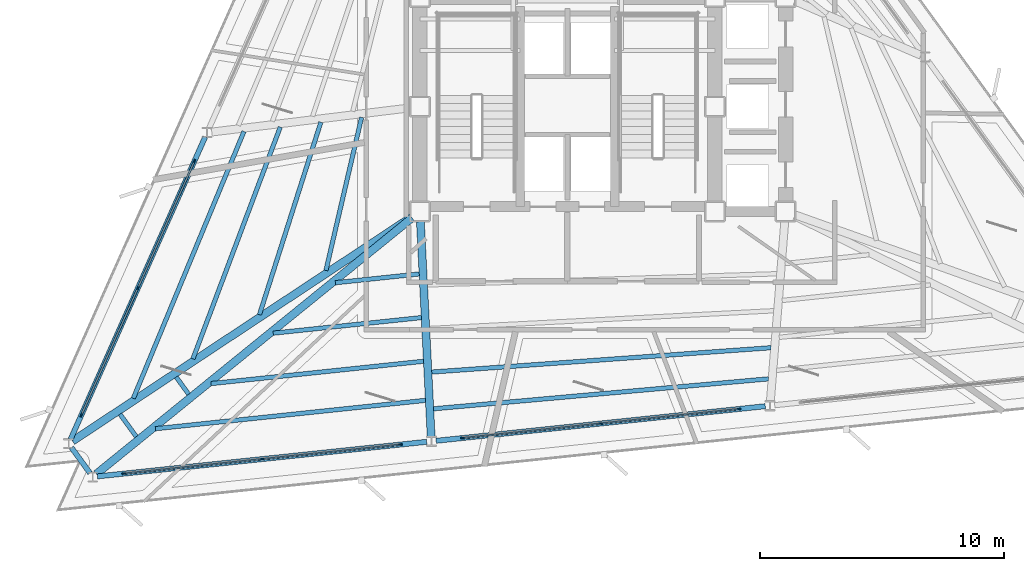
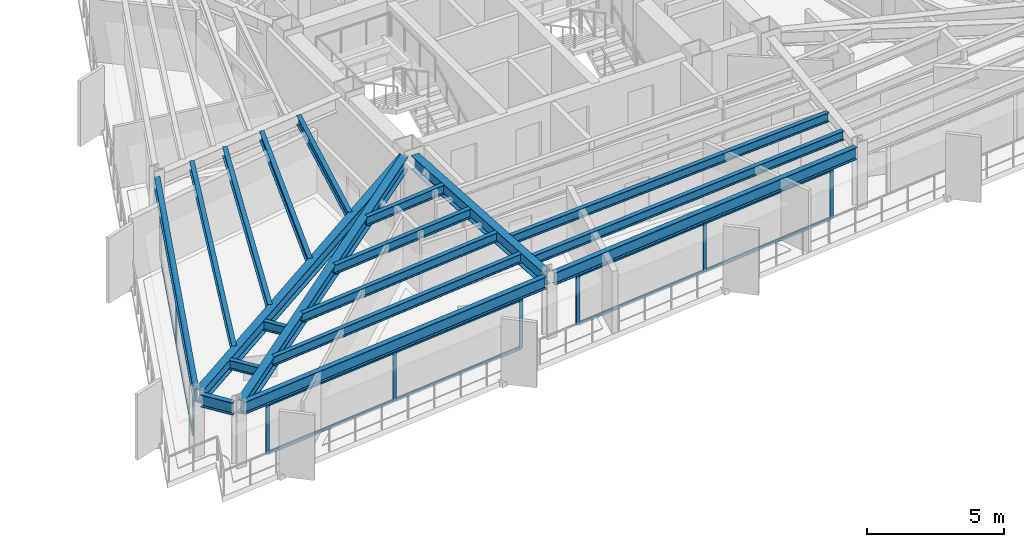
# One storey, part 2 of 12: 21 members, 19 beams, 3 elements without a shape of their own.
"""IFC4 building model written with IfcOpenShell, lengths in metres."""

from ifc_helpers import new_model, si_unit, direction, frame, origin, origin_2d, place, context, subcontext, project, spatial, rectangle, i_section, extrude, material, layer, layer_set, material_profile, profile_set, type_object, element, aggregate, save


model = new_model("IFC4")

# Units and contexts
model_context = context("Model", 3, precision=1e-05, world=origin(), true_north=direction((0.0, 1.0)))
body_context = subcontext(model_context, "Body", "Model", "MODEL_VIEW")
ifc_project = project(units=[si_unit("LENGTHUNIT", "METRE"), si_unit("AREAUNIT", "SQUARE_METRE"), si_unit("VOLUMEUNIT", "CUBIC_METRE"), si_unit("PLANEANGLEUNIT", "RADIAN"), si_unit("MASSUNIT", "GRAM", prefix="KILO")], contexts=[model_context])

# Site, building, storey
site_placement = place(None, origin())
site = spatial("IfcSite", under=ifc_project, at=site_placement, CompositionType="ELEMENT")
building_placement = place(site_placement, origin())
building = spatial("IfcBuilding", under=site, at=building_placement, Name="Rocaltana Carrier Exchange", CompositionType="ELEMENT")
storey_placement = place(building_placement, frame((0.0, 0.0, 116.800048828125)))
storey = spatial("IfcBuildingStorey", under=building, at=storey_placement, Name="L36", CompositionType="ELEMENT", Elevation=116.800048828125)

# Curtain wall, members
ifc_material_1 = material(Name="Aluminium 6063-T6", Category="aluminium")
ifc_layer = layer(ifc_material_1, 0.14990234375)
ifc_layer_set = layer_set([ifc_layer], Name="Aluminium 6063-T6")
curtain_wall_type = type_object("IfcCurtainWallType", Name="Mid-Tower Unitised Curtain Wall CW-03", PredefinedType="NOTDEFINED", material=ifc_layer_set)
curtain_wall_1_placement = place(storey_placement, origin())
curtain_wall_1 = element("IfcCurtainWall", 1, at=curtain_wall_1_placement, inside=storey, type_object=curtain_wall_type, Name="L36 CW-03 Run CW-L36-F2S3", PredefinedType="NOTDEFINED")
ifc_material_2 = material(Name="Aluminium 6063-T6", Category="aluminium")
ifc_material_profile_1 = material_profile(ifc_material_2, rectangle(XDim=0.06005859375, YDim=0.14990234375, at=origin_2d()), Name="AL-60X150")
ifc_profile_set_1 = profile_set([ifc_material_profile_1], Name="Aluminium 6063-T6")
member_type_1 = type_object("IfcMemberType", Name="CW-03 Mullion AL-60X150", PredefinedType="MULLION", material=ifc_profile_set_1)
member_1_placement = place(storey_placement, frame((-15.299560546875, -2.2333984375, 0.0), z_axis=(0.0, 0.0, 1.0), x_axis=(0.913547031517, -0.406733108077, 0.0)))
member_1 = element("IfcMember", 2, at=member_1_placement, type_object=member_type_1, Name="CW-03 mullion 1", PredefinedType="MULLION", context=body_context, shape_type="SweptSolid", body=[
    extrude(rectangle(XDim=0.06005859375, YDim=0.14990234375, at=origin_2d()), origin(), (0.0, 0.0, 1.0), 2.218017578125),
])
member_2_placement = place(storey_placement, frame((-17.619140625, -7.44384765625, 0.0), z_axis=(0.0, 0.0, 1.0), x_axis=(0.913547031517, -0.406733108077, 0.0)))
member_2 = element("IfcMember", 3, at=member_2_placement, type_object=member_type_1, Name="CW-03 mullion 2", PredefinedType="MULLION", context=body_context, shape_type="SweptSolid", body=[
    extrude(rectangle(XDim=0.06005859375, YDim=0.14990234375, at=origin_2d()), origin(), (0.0, 0.0, 1.0), 2.218017578125),
])
member_3_placement = place(storey_placement, frame((-19.93896484375, -12.654052734375, 0.0), z_axis=(0.0, 0.0, 1.0), x_axis=(0.913547031517, -0.406733108077, 0.0)))
member_3 = element("IfcMember", 4, at=member_3_placement, type_object=member_type_1, Name="CW-03 mullion 3", PredefinedType="MULLION", context=body_context, shape_type="SweptSolid", body=[
    extrude(rectangle(XDim=0.06005859375, YDim=0.14990234375, at=origin_2d()), origin(), (0.0, 0.0, 1.0), 2.218017578125),
])

curtain_wall_2_placement = place(storey_placement, origin())
curtain_wall_2 = element("IfcCurtainWall", 5, at=curtain_wall_2_placement, inside=storey, type_object=curtain_wall_type, Name="L36 CW-03 Run CW-L36-F3S1", PredefinedType="NOTDEFINED")
member_4_placement = place(storey_placement, frame((-18.196044921875, -15.052734375, 0.0), z_axis=(0.0, 0.0, 1.0), x_axis=(-0.104521806959, 0.994522594952, 0.0)))
member_4 = element("IfcMember", 6, at=member_4_placement, type_object=member_type_1, Name="CW-03 mullion 1", PredefinedType="MULLION", context=body_context, shape_type="SweptSolid", body=[
    extrude(rectangle(XDim=0.06005859375, YDim=0.14990234375, at=origin_2d()), origin(), (0.0, 0.0, 1.0), 2.218017578125),
])
member_5_placement = place(storey_placement, frame((-12.524169921875, -14.45654296875, 0.0), z_axis=(0.0, 0.0, 1.0), x_axis=(-0.104521806959, 0.994522594952, 0.0)))
member_5 = element("IfcMember", 7, at=member_5_placement, type_object=member_type_1, Name="CW-03 mullion 2", PredefinedType="MULLION", context=body_context, shape_type="SweptSolid", body=[
    extrude(rectangle(XDim=0.06005859375, YDim=0.14990234375, at=origin_2d()), origin(), (0.0, 0.0, 1.0), 2.218017578125),
])
member_6_placement = place(storey_placement, frame((-6.85205078125, -13.860595703125, 0.0), z_axis=(0.0, 0.0, 1.0), x_axis=(-0.104521806959, 0.994522594952, 0.0)))
member_6 = element("IfcMember", 8, at=member_6_placement, type_object=member_type_1, Name="CW-03 mullion 3", PredefinedType="MULLION", context=body_context, shape_type="SweptSolid", body=[
    extrude(rectangle(XDim=0.06005859375, YDim=0.14990234375, at=origin_2d()), origin(), (0.0, 0.0, 1.0), 2.218017578125),
])

curtain_wall_3_placement = place(storey_placement, origin())
curtain_wall_3 = element("IfcCurtainWall", 9, at=curtain_wall_3_placement, inside=storey, type_object=curtain_wall_type, Name="L36 CW-03 Run CW-L36-F3S2", PredefinedType="NOTDEFINED")
member_7_placement = place(storey_placement, frame((-4.30615234375, -13.5927734375, 0.0), z_axis=(0.0, 0.0, 1.0), x_axis=(-0.104529526113, 0.994521783658, 0.0)))
member_7 = element("IfcMember", 10, at=member_7_placement, type_object=member_type_1, Name="CW-03 mullion 1", PredefinedType="MULLION", context=body_context, shape_type="SweptSolid", body=[
    extrude(rectangle(XDim=0.06005859375, YDim=0.14990234375, at=origin_2d()), origin(), (0.0, 0.0, 1.0), 2.218017578125),
])
member_8_placement = place(storey_placement, frame((1.365966796875, -12.99658203125, 0.0), z_axis=(0.0, 0.0, 1.0), x_axis=(-0.104529526113, 0.994521783658, 0.0)))
member_8 = element("IfcMember", 11, at=member_8_placement, type_object=member_type_1, Name="CW-03 mullion 2", PredefinedType="MULLION", context=body_context, shape_type="SweptSolid", body=[
    extrude(rectangle(XDim=0.06005859375, YDim=0.14990234375, at=origin_2d()), origin(), (0.0, 0.0, 1.0), 2.218017578125),
])
member_9_placement = place(storey_placement, frame((7.0380859375, -12.400634765625, 0.0), z_axis=(0.0, 0.0, 1.0), x_axis=(-0.104529526113, 0.994521783658, 0.0)))
member_9 = element("IfcMember", 12, at=member_9_placement, type_object=member_type_1, Name="CW-03 mullion 3", PredefinedType="MULLION", context=body_context, shape_type="SweptSolid", body=[
    extrude(rectangle(XDim=0.06005859375, YDim=0.14990234375, at=origin_2d()), origin(), (0.0, 0.0, 1.0), 2.218017578125),
])

# Member
ifc_material_3 = material(Name="Aluminium 6063-T6", Category="aluminium")
ifc_material_profile_2 = material_profile(ifc_material_3, rectangle(XDim=0.06005859375, YDim=0.14990234375, at=origin_2d()), Name="AL-60X150")
ifc_profile_set_2 = profile_set([ifc_material_profile_2], Name="Aluminium 6063-T6")
member_type_2 = type_object("IfcMemberType", Name="CW-03 Transom AL-60X150", PredefinedType="USERDEFINED", material=ifc_profile_set_2)
member_10_placement = place(storey_placement, frame((-15.311767578125, -2.260986328125, 0.030029296875), z_axis=(-0.406704359788, -0.913559830405, 0.0), x_axis=(0.913559830405, -0.406704359788, 0.0)))
member_10 = element("IfcMember", 13, at=member_10_placement, type_object=member_type_2, Name="CW-03 transom 1.1", ObjectType="TRANSOM", PredefinedType="USERDEFINED", context=body_context, shape_type="SweptSolid", body=[
    extrude(rectangle(XDim=0.06005859375, YDim=0.14990234375, at=origin_2d()), origin(), (0.0, 0.0, 1.0), 5.643310546875),
])

member_11_placement = place(storey_placement, frame((-15.311767578125, -2.260986328125, 2.18798828125), z_axis=(-0.406704359788, -0.913559830405, 0.0), x_axis=(0.913559830405, -0.406704359788, 0.0)))
member_11 = element("IfcMember", 14, at=member_11_placement, type_object=member_type_2, Name="CW-03 transom 1.2", ObjectType="TRANSOM", PredefinedType="USERDEFINED", context=body_context, shape_type="SweptSolid", body=[
    extrude(rectangle(XDim=0.06005859375, YDim=0.14990234375, at=origin_2d()), origin(), (0.0, 0.0, 1.0), 5.643310546875),
])

member_12_placement = place(storey_placement, frame((-17.63134765625, -7.47119140625, 0.030029296875), z_axis=(-0.406740464784, -0.913543756099, 0.0), x_axis=(0.913543756099, -0.406740464784, 0.0)))
member_12 = element("IfcMember", 15, at=member_12_placement, type_object=member_type_2, Name="CW-03 transom 2.1", ObjectType="TRANSOM", PredefinedType="USERDEFINED", context=body_context, shape_type="SweptSolid", body=[
    extrude(rectangle(XDim=0.06005859375, YDim=0.14990234375, at=origin_2d()), origin(), (0.0, 0.0, 1.0), 5.643310546875),
])

member_13_placement = place(storey_placement, frame((-17.63134765625, -7.47119140625, 2.18798828125), z_axis=(-0.406740464784, -0.913543756099, 0.0), x_axis=(0.913543756099, -0.406740464784, 0.0)))
member_13 = element("IfcMember", 16, at=member_13_placement, type_object=member_type_2, Name="CW-03 transom 2.2", ObjectType="TRANSOM", PredefinedType="USERDEFINED", context=body_context, shape_type="SweptSolid", body=[
    extrude(rectangle(XDim=0.06005859375, YDim=0.14990234375, at=origin_2d()), origin(), (0.0, 0.0, 1.0), 5.643310546875),
])

aggregate(curtain_wall_1, [member_1, member_2, member_3, member_10, member_11, member_12, member_13])

member_14_placement = place(storey_placement, frame((-18.166259765625, -15.049560546875, 0.030029296875), z_axis=(0.99452250772, 0.104522636969, 0.0), x_axis=(-0.104522636969, 0.99452250772, 0.0)))
member_14 = element("IfcMember", 17, at=member_14_placement, type_object=member_type_2, Name="CW-03 transom 1.1", ObjectType="TRANSOM", PredefinedType="USERDEFINED", context=body_context, shape_type="SweptSolid", body=[
    extrude(rectangle(XDim=0.06005859375, YDim=0.14990234375, at=origin_2d()), origin(), (0.0, 0.0, 1.0), 5.643310546875),
])

member_15_placement = place(storey_placement, frame((-18.166259765625, -15.049560546875, 2.18798828125), z_axis=(0.99452250772, 0.104522636969, 0.0), x_axis=(-0.104522636969, 0.99452250772, 0.0)))
member_15 = element("IfcMember", 18, at=member_15_placement, type_object=member_type_2, Name="CW-03 transom 1.2", ObjectType="TRANSOM", PredefinedType="USERDEFINED", context=body_context, shape_type="SweptSolid", body=[
    extrude(rectangle(XDim=0.06005859375, YDim=0.14990234375, at=origin_2d()), origin(), (0.0, 0.0, 1.0), 5.643310546875),
])

member_16_placement = place(storey_placement, frame((-12.494384765625, -14.45361328125, 0.030029296875), z_axis=(0.99452250772, 0.104522636969, 0.0), x_axis=(-0.104522636969, 0.99452250772, 0.0)))
member_16 = element("IfcMember", 19, at=member_16_placement, type_object=member_type_2, Name="CW-03 transom 2.1", ObjectType="TRANSOM", PredefinedType="USERDEFINED", context=body_context, shape_type="SweptSolid", body=[
    extrude(rectangle(XDim=0.06005859375, YDim=0.14990234375, at=origin_2d()), origin(), (0.0, 0.0, 1.0), 5.643310546875),
])

member_17_placement = place(storey_placement, frame((-12.494384765625, -14.45361328125, 2.18798828125), z_axis=(0.99452250772, 0.104522636969, 0.0), x_axis=(-0.104522636969, 0.99452250772, 0.0)))
member_17 = element("IfcMember", 20, at=member_17_placement, type_object=member_type_2, Name="CW-03 transom 2.2", ObjectType="TRANSOM", PredefinedType="USERDEFINED", context=body_context, shape_type="SweptSolid", body=[
    extrude(rectangle(XDim=0.06005859375, YDim=0.14990234375, at=origin_2d()), origin(), (0.0, 0.0, 1.0), 5.643310546875),
])

aggregate(curtain_wall_2, [member_4, member_5, member_6, member_14, member_15, member_16, member_17])

member_18_placement = place(storey_placement, frame((-4.276123046875, -13.58984375, 0.030029296875), z_axis=(0.994518009659, 0.104565426716, 0.0), x_axis=(-0.104565426716, 0.994518009659, 0.0)))
member_18 = element("IfcMember", 21, at=member_18_placement, type_object=member_type_2, Name="CW-03 transom 1.1", ObjectType="TRANSOM", PredefinedType="USERDEFINED", context=body_context, shape_type="SweptSolid", body=[
    extrude(rectangle(XDim=0.06005859375, YDim=0.14990234375, at=origin_2d()), origin(), (0.0, 0.0, 1.0), 5.643310546875),
])

member_19_placement = place(storey_placement, frame((-4.276123046875, -13.58984375, 2.18798828125), z_axis=(0.994518009659, 0.104565426716, 0.0), x_axis=(-0.104565426716, 0.994518009659, 0.0)))
member_19 = element("IfcMember", 22, at=member_19_placement, type_object=member_type_2, Name="CW-03 transom 1.2", ObjectType="TRANSOM", PredefinedType="USERDEFINED", context=body_context, shape_type="SweptSolid", body=[
    extrude(rectangle(XDim=0.06005859375, YDim=0.14990234375, at=origin_2d()), origin(), (0.0, 0.0, 1.0), 5.643310546875),
])

member_20_placement = place(storey_placement, frame((1.395751953125, -12.99365234375, 0.030029296875), z_axis=(0.994518482657, 0.104560927947, 0.0), x_axis=(-0.104560927947, 0.994518482657, 0.0)))
member_20 = element("IfcMember", 23, at=member_20_placement, type_object=member_type_2, Name="CW-03 transom 2.1", ObjectType="TRANSOM", PredefinedType="USERDEFINED", context=body_context, shape_type="SweptSolid", body=[
    extrude(rectangle(XDim=0.06005859375, YDim=0.14990234375, at=origin_2d()), origin(), (0.0, 0.0, 1.0), 5.6435546875),
])

member_21_placement = place(storey_placement, frame((1.395751953125, -12.99365234375, 2.18798828125), z_axis=(0.994518482657, 0.104560927947, 0.0), x_axis=(-0.104560927947, 0.994518482657, 0.0)))
member_21 = element("IfcMember", 24, at=member_21_placement, type_object=member_type_2, Name="CW-03 transom 2.2", ObjectType="TRANSOM", PredefinedType="USERDEFINED", context=body_context, shape_type="SweptSolid", body=[
    extrude(rectangle(XDim=0.06005859375, YDim=0.14990234375, at=origin_2d()), origin(), (0.0, 0.0, 1.0), 5.6435546875),
])

aggregate(curtain_wall_3, [member_7, member_8, member_9, member_18, member_19, member_20, member_21])

# Beams
ifc_material_4 = material(Name="Steel S355", Category="steel")
ifc_material_profile_3 = material_profile(ifc_material_4, i_section(OverallWidth=0.179931640625, OverallDepth=0.4130859375, WebThickness=0.009765625, FlangeThickness=0.01611328125, FilletRadius=0.012939453125, at=origin_2d()), Name="W16X50")
ifc_profile_set_3 = profile_set([ifc_material_profile_3], Name="Steel S355")
beam_type_1 = type_object("IfcBeamType", Name="Floor Joist W16X50", PredefinedType="JOIST", material=ifc_profile_set_3)
beam_1_placement = place(storey_placement, frame((-8.442138671875, -0.439208984375, 2.58154296875), z_axis=(-0.22689687838, -0.973918788494, 0.0), x_axis=(0.973918788494, -0.22689687838, 0.0)))
element("IfcBeam", 25, at=beam_1_placement, inside=storey, type_object=beam_type_1, Name="FJ-L36-07-1", PredefinedType="JOIST", context=body_context, shape_type="SweptSolid", body=[
    extrude(i_section(OverallWidth=0.179931640625, OverallDepth=0.4130859375, WebThickness=0.009765625, FlangeThickness=0.01611328125, FilletRadius=0.012939453125, at=origin_2d()), origin(), (0.0, 0.0, 1.0), 6.448486328125),
])
beam_2_placement = place(storey_placement, frame((-10.11279296875, -0.63818359375, 2.58154296875), z_axis=(-0.303932068728, -0.952693706077, 0.0), x_axis=(0.952693706077, -0.303932068728, 0.0)))
element("IfcBeam", 26, at=beam_2_placement, inside=storey, type_object=beam_type_1, Name="FJ-L36-07-2", PredefinedType="JOIST", context=body_context, shape_type="SweptSolid", body=[
    extrude(i_section(OverallWidth=0.179931640625, OverallDepth=0.4130859375, WebThickness=0.009765625, FlangeThickness=0.01611328125, FilletRadius=0.012939453125, at=origin_2d()), origin(), (0.0, 0.0, 1.0), 8.285888671875),
])
beam_3_placement = place(storey_placement, frame((-11.77880859375, -0.837646484375, 2.58154296875), z_axis=(-0.352616248734, -0.935768016727, 0.0), x_axis=(0.935768016727, -0.352616248734, 0.0)))
element("IfcBeam", 27, at=beam_3_placement, inside=storey, type_object=beam_type_1, Name="FJ-L36-07-3", PredefinedType="JOIST", context=body_context, shape_type="SweptSolid", body=[
    extrude(i_section(OverallWidth=0.179931640625, OverallDepth=0.4130859375, WebThickness=0.009765625, FlangeThickness=0.01611328125, FilletRadius=0.012939453125, at=origin_2d()), origin(), (0.0, 0.0, 1.0), 10.1591796875),
])
beam_4_placement = place(storey_placement, frame((-13.267333984375, -1.016845703125, 2.58154296875), z_axis=(-0.382964861888, -0.923762910361, 0.0), x_axis=(0.923762910361, -0.382964861888, 0.0)))
element("IfcBeam", 28, at=beam_4_placement, inside=storey, type_object=beam_type_1, Name="FJ-L36-07-4", PredefinedType="JOIST", context=body_context, shape_type="SweptSolid", body=[
    extrude(i_section(OverallWidth=0.179931640625, OverallDepth=0.4130859375, WebThickness=0.009765625, FlangeThickness=0.01611328125, FilletRadius=0.012939453125, at=origin_2d()), origin(), (0.0, 0.0, 1.0), 11.851806640625),
])
beam_5_placement = place(storey_placement, frame((-16.044921875, -11.092529296875, 2.58154296875), z_axis=(0.587636081789, -0.80912535208, 0.0), x_axis=(0.80912535208, 0.587636081789, 0.0)))
element("IfcBeam", 29, at=beam_5_placement, inside=storey, type_object=beam_type_1, Name="FJ-L36-08-3", PredefinedType="JOIST", context=body_context, shape_type="SweptSolid", body=[
    extrude(i_section(OverallWidth=0.179931640625, OverallDepth=0.4130859375, WebThickness=0.009765625, FlangeThickness=0.01611328125, FilletRadius=0.012939453125, at=origin_2d()), origin(), (0.0, 0.0, 1.0), 0.867431640625),
])
beam_6_placement = place(storey_placement, frame((-18.3505859375, -12.6162109375, 2.58154296875), z_axis=(0.587737652756, -0.809051575323, 0.0), x_axis=(0.809051575323, 0.587737652756, 0.0)))
element("IfcBeam", 30, at=beam_6_placement, inside=storey, type_object=beam_type_1, Name="FJ-L36-08-4", PredefinedType="JOIST", context=body_context, shape_type="SweptSolid", body=[
    extrude(i_section(OverallWidth=0.179931640625, OverallDepth=0.4130859375, WebThickness=0.009765625, FlangeThickness=0.01611328125, FilletRadius=0.012939453125, at=origin_2d()), origin(), (0.0, 0.0, 1.0), 1.137451171875),
])
beam_7_placement = place(storey_placement, frame((-9.51806640625, -7.22314453125, 2.58154296875), z_axis=(0.994522069836, 0.104526803309, 0.0), x_axis=(-0.104526803309, 0.994522069836, 0.0)))
element("IfcBeam", 31, at=beam_7_placement, inside=storey, type_object=beam_type_1, Name="FJ-L36-09-1", PredefinedType="JOIST", context=body_context, shape_type="SweptSolid", body=[
    extrude(i_section(OverallWidth=0.179931640625, OverallDepth=0.4130859375, WebThickness=0.009765625, FlangeThickness=0.01611328125, FilletRadius=0.012939453125, at=origin_2d()), origin(), (0.0, 0.0, 1.0), 3.459228515625),
])
beam_8_placement = place(storey_placement, frame((-12.067626953125, -9.29150390625, 2.58154296875), z_axis=(0.994522291709, 0.104524692265, 0.0), x_axis=(-0.104524692265, 0.994522291709, 0.0)))
element("IfcBeam", 32, at=beam_8_placement, inside=storey, type_object=beam_type_1, Name="FJ-L36-09-2", PredefinedType="JOIST", context=body_context, shape_type="SweptSolid", body=[
    extrude(i_section(OverallWidth=0.179931640625, OverallDepth=0.4130859375, WebThickness=0.009765625, FlangeThickness=0.01611328125, FilletRadius=0.012939453125, at=origin_2d()), origin(), (0.0, 0.0, 1.0), 6.112548828125),
])
beam_9_placement = place(storey_placement, frame((-14.6171875, -11.360107421875, 2.58154296875), z_axis=(0.994519483766, 0.104551405586, 0.0), x_axis=(-0.104551405586, 0.994519483766, 0.0)))
element("IfcBeam", 33, at=beam_9_placement, inside=storey, type_object=beam_type_1, Name="FJ-L36-09-3", PredefinedType="JOIST", context=body_context, shape_type="SweptSolid", body=[
    extrude(i_section(OverallWidth=0.179931640625, OverallDepth=0.4130859375, WebThickness=0.009765625, FlangeThickness=0.01611328125, FilletRadius=0.012939453125, at=origin_2d()), origin(), (0.0, 0.0, 1.0), 8.76611328125),
])
beam_10_placement = place(storey_placement, frame((-16.898681640625, -13.210693359375, 2.58154296875), z_axis=(0.994521531783, 0.104531922494, 0.0), x_axis=(-0.104531922494, 0.994521531783, 0.0)))
element("IfcBeam", 34, at=beam_10_placement, inside=storey, type_object=beam_type_1, Name="FJ-L36-09-4", PredefinedType="JOIST", context=body_context, shape_type="SweptSolid", body=[
    extrude(i_section(OverallWidth=0.179931640625, OverallDepth=0.4130859375, WebThickness=0.009765625, FlangeThickness=0.01611328125, FilletRadius=0.012939453125, at=origin_2d()), origin(), (0.0, 0.0, 1.0), 11.140625),
])
beam_11_placement = place(storey_placement, frame((-5.564697265625, -10.887451171875, 2.58154296875), z_axis=(0.99742902588, 0.071661274976, 0.0), x_axis=(-0.071661274976, 0.99742902588, 0.0)))
element("IfcBeam", 35, at=beam_11_placement, inside=storey, type_object=beam_type_1, Name="FJ-L36-10-3", PredefinedType="JOIST", context=body_context, shape_type="SweptSolid", body=[
    extrude(i_section(OverallWidth=0.179931640625, OverallDepth=0.4130859375, WebThickness=0.009765625, FlangeThickness=0.01611328125, FilletRadius=0.012939453125, at=origin_2d()), origin(), (0.0, 0.0, 1.0), 13.94775390625),
])
beam_12_placement = place(storey_placement, frame((-5.489501953125, -12.39306640625, 2.58154296875), z_axis=(0.996028205835, 0.089038268076, 0.0), x_axis=(-0.089038268076, 0.996028205835, 0.0)))
element("IfcBeam", 36, at=beam_12_placement, inside=storey, type_object=beam_type_1, Name="FJ-L36-10-4", PredefinedType="JOIST", context=body_context, shape_type="SweptSolid", body=[
    extrude(i_section(OverallWidth=0.179931640625, OverallDepth=0.4130859375, WebThickness=0.009765625, FlangeThickness=0.01611328125, FilletRadius=0.012939453125, at=origin_2d()), origin(), (0.0, 0.0, 1.0), 13.789306640625),
])
ifc_material_5 = material(Name="Steel S355", Category="steel")
ifc_material_profile_4 = material_profile(ifc_material_5, i_section(OverallWidth=0.323974609375, OverallDepth=0.611083984375, WebThickness=0.0126953125, FlangeThickness=0.01904296875, FilletRadius=0.01611328125, at=origin_2d()), Name="W24X104")
ifc_profile_set_4 = profile_set([ifc_material_profile_4], Name="Steel S355")
beam_type_2 = type_object("IfcBeamType", Name="Radial Girder W24X104", PredefinedType="BEAM", material=ifc_profile_set_4)
beam_13_placement = place(storey_placement, frame((-6.39794921875, -4.52978515625, 2.482421875), z_axis=(-0.834257562718, -0.551374935093, 0.0), x_axis=(0.551374935093, -0.834257562718, 0.0)))
element("IfcBeam", 37, at=beam_13_placement, inside=storey, type_object=beam_type_2, Name="RG-L36-08", PredefinedType="BEAM", context=body_context, shape_type="SweptSolid", body=[
    extrude(i_section(OverallWidth=0.323974609375, OverallDepth=0.611083984375, WebThickness=0.0126953125, FlangeThickness=0.01904296875, FilletRadius=0.01611328125, at=origin_2d()), origin(), (0.0, 0.0, 1.0), 16.66015625),
])
beam_14_placement = place(storey_placement, frame((-6.373779296875, -4.562744140625, 2.482421875), z_axis=(-0.776586459835, -0.630010690704, 0.0), x_axis=(0.630010690704, -0.776586459835, 0.0)))
element("IfcBeam", 38, at=beam_14_placement, inside=storey, type_object=beam_type_2, Name="RG-L36-09", PredefinedType="BEAM", context=body_context, shape_type="SweptSolid", body=[
    extrude(i_section(OverallWidth=0.323974609375, OverallDepth=0.611083984375, WebThickness=0.0126953125, FlangeThickness=0.01904296875, FilletRadius=0.01611328125, at=origin_2d()), origin(), (0.0, 0.0, 1.0), 16.66796875),
])
beam_15_placement = place(storey_placement, frame((-6.029296875, -4.716552734375, 2.482421875), z_axis=(0.049898989205, -0.998754269516, 0.0), x_axis=(0.998754269516, 0.049898989205, 0.0)))
element("IfcBeam", 39, at=beam_15_placement, inside=storey, type_object=beam_type_2, Name="RG-L36-10", PredefinedType="BEAM", context=body_context, shape_type="SweptSolid", body=[
    extrude(i_section(OverallWidth=0.323974609375, OverallDepth=0.611083984375, WebThickness=0.0126953125, FlangeThickness=0.01904296875, FilletRadius=0.01611328125, at=origin_2d()), origin(), (0.0, 0.0, 1.0), 8.826416015625),
])
ifc_material_6 = material(Name="Steel S355", Category="steel")
ifc_material_profile_5 = material_profile(ifc_material_6, i_section(OverallWidth=0.2119140625, OverallDepth=0.5439453125, WebThickness=0.01318359375, FlangeThickness=0.021240234375, FilletRadius=0.014892578125, at=origin_2d()), Name="W21X83")
ifc_profile_set_5 = profile_set([ifc_material_profile_5], Name="Steel S355")
beam_type_3 = type_object("IfcBeamType", Name="Spandrel Edge Beam W21X83", PredefinedType="SPANDREL", material=ifc_profile_set_5)
beam_16_placement = place(storey_placement, frame((-14.858154296875, -1.2421875, 2.515869140625), z_axis=(-0.406737349921, -0.913545142935, 0.0), x_axis=(0.913545142935, -0.406737349921, 0.0)))
element("IfcBeam", 40, at=beam_16_placement, inside=storey, type_object=beam_type_3, Name="SP-L36-07", PredefinedType="SPANDREL", context=body_context, shape_type="SweptSolid", body=[
    extrude(i_section(OverallWidth=0.2119140625, OverallDepth=0.5439453125, WebThickness=0.01318359375, FlangeThickness=0.021240234375, FilletRadius=0.014892578125, at=origin_2d()), origin(), (0.0, 0.0, 1.0), 13.576904296875),
])
beam_17_placement = place(storey_placement, frame((-20.344970703125, -13.981201171875, 2.515869140625), z_axis=(0.587835350747, -0.808980593347, 0.0), x_axis=(0.808980593347, 0.587835350747, 0.0)))
element("IfcBeam", 41, at=beam_17_placement, inside=storey, type_object=beam_type_3, Name="SP-L36-08", PredefinedType="SPANDREL", context=body_context, shape_type="SweptSolid", body=[
    extrude(i_section(OverallWidth=0.2119140625, OverallDepth=0.5439453125, WebThickness=0.01318359375, FlangeThickness=0.021240234375, FilletRadius=0.014892578125, at=origin_2d()), origin(), (0.0, 0.0, 1.0), 1.294921875),
])
for number, where, z_axis, x_axis, name in (
    (42, (-19.275390625, -15.166259765625, 2.515869140625), (0.994521698777, 0.104530333689, 0.0), (-0.104530333689, 0.994521698777, 0.0), "SP-L36-09"),
    (43, (-5.38525390625, -13.706298828125, 2.515869140625), (0.994521698777, 0.104530333689, 0.0), (-0.104530333689, 0.994521698777, 0.0), "SP-L36-10"),
):
    element("IfcBeam", number, at=place(storey_placement, frame(where, z_axis=z_axis, x_axis=x_axis)), inside=storey, type_object=beam_type_3, Name=name, PredefinedType="SPANDREL", context=body_context, shape_type="SweptSolid", body=[
        extrude(i_section(OverallWidth=0.2119140625, OverallDepth=0.5439453125, WebThickness=0.01318359375, FlangeThickness=0.021240234375, FilletRadius=0.014892578125, at=origin_2d()), origin(), (0.0, 0.0, 1.0), 13.576904296875),
    ])

save(model, "model.ifc")
